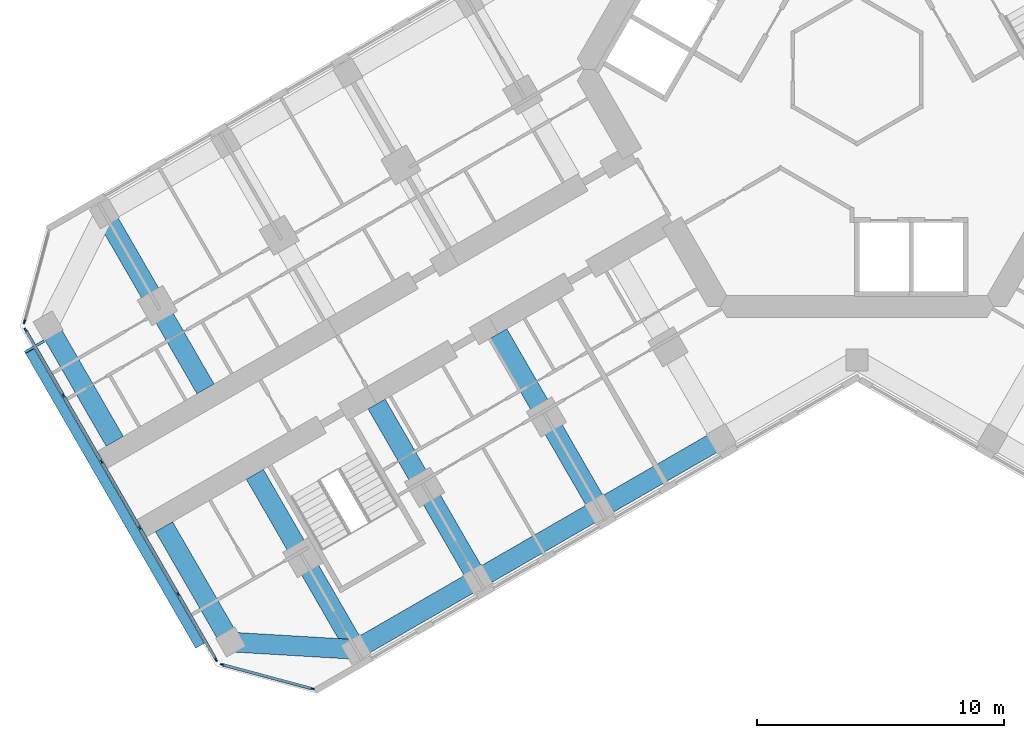
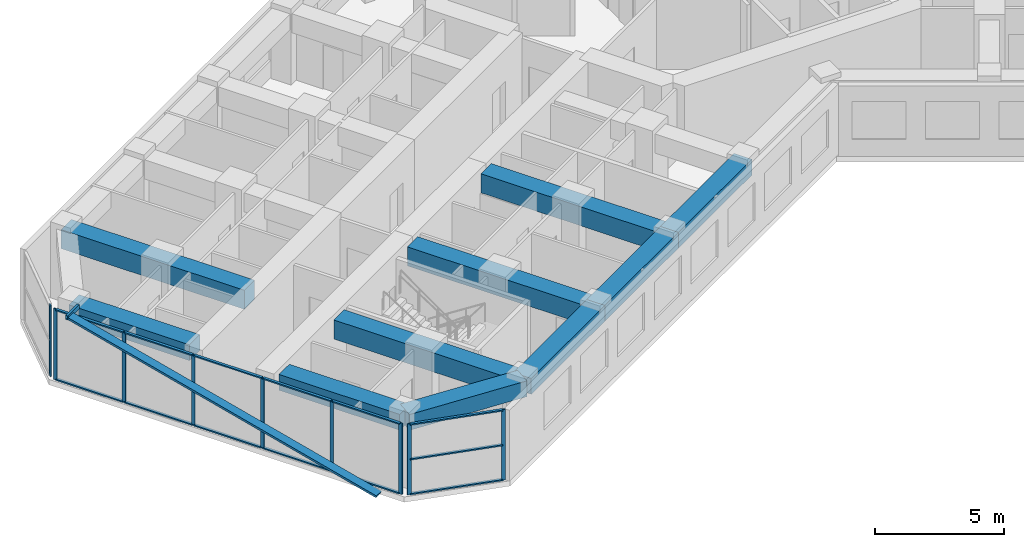
# One storey, part 2 of 19: 24 members, 10 beams, 3 elements without a shape of their own.
"""IFC4 building model written with IfcOpenShell, lengths in metres."""

from ifc_helpers import new_model, si_unit, direction, frame, origin, origin_2d, place, context, subcontext, project, spatial, rectangle, hollow_rectangle, extrude, material, material_profile, profile_set, type_object, element, aggregate, save


model = new_model("IFC4")

# Units and contexts
model_context = context("Model", 3, precision=1e-05, world=origin(), true_north=direction((0.0, 1.0)))
body_context = subcontext(model_context, "Body", "Model", "MODEL_VIEW")
ifc_project = project(units=[si_unit("LENGTHUNIT", "METRE"), si_unit("AREAUNIT", "SQUARE_METRE"), si_unit("VOLUMEUNIT", "CUBIC_METRE"), si_unit("PLANEANGLEUNIT", "RADIAN"), si_unit("MASSUNIT", "GRAM", prefix="KILO")], contexts=[model_context])

# Site, building, storey
site_placement = place(None, origin())
site = spatial("IfcSite", under=ifc_project, at=site_placement, CompositionType="ELEMENT")
building_placement = place(site_placement, origin())
building = spatial("IfcBuilding", under=site, at=building_placement, Name="Kosmar Iwan School Tower", CompositionType="ELEMENT")
storey_placement = place(building_placement, frame((0.0, 0.0, 141.800048828125)))
storey = spatial("IfcBuildingStorey", under=building, at=storey_placement, Name="L35", CompositionType="ELEMENT", Elevation=141.800048828125)

# Members
ifc_material_1 = material(Name="Black anodised aluminium", Category="aluminium")
ifc_material_profile_1 = material_profile(ifc_material_1, rectangle(XDim=0.10009765625, YDim=0.39990234375, at=origin_2d()), Name="FIN 100x400")
ifc_profile_set_1 = profile_set([ifc_material_profile_1], Name="Black anodised aluminium")
member_type_1 = type_object("IfcMemberType", Name="Diagonal fin 100x400", PredefinedType="USERDEFINED", material=ifc_profile_set_1)
member_1_placement = place(storey_placement, frame((-26.645263671875, -23.34912109375, -0.150146484375), z_axis=(-0.483793446988, 0.837970316603, 0.25248692866), x_axis=(0.126241714543, -0.218661104574, 0.96760030532)))
element("IfcMember", 1, at=member_1_placement, inside=storey, type_object=member_type_1, Name="Diagonal fin L35-F13", ObjectType="FIN", PredefinedType="USERDEFINED", context=body_context, shape_type="SweptSolid", body=[
    extrude(rectangle(XDim=0.10009765625, YDim=0.39990234375, at=origin_2d()), origin(), (0.0, 0.0, 1.0), 14.258544921875),
])
ifc_material_2 = material(Name="Steel S355", Category="steel")
ifc_material_profile_2 = material_profile(ifc_material_2, hollow_rectangle(XDim=0.10009765625, YDim=0.199951171875, WallThickness=0.008056640625, at=origin_2d()), Name="RHS 200x100x8")
ifc_profile_set_2 = profile_set([ifc_material_profile_2], Name="Steel S355")
member_type_2 = type_object("IfcMemberType", Name="Fin bracket RHS 200x100", PredefinedType="USERDEFINED", material=ifc_profile_set_2)
member_2_placement = place(storey_placement, frame((-32.963134765625, -11.006103515625, 3.474853515625), z_axis=(-0.866081705922, -0.499902469156, 0.0), x_axis=(0.499902469156, -0.866081705922, 0.0)))
element("IfcMember", 2, at=member_2_placement, inside=storey, type_object=member_type_2, Name="Fin bracket L36", ObjectType="FIN BRACKET", PredefinedType="USERDEFINED", context=body_context, shape_type="SweptSolid", body=[
    extrude(hollow_rectangle(XDim=0.10009765625, YDim=0.199951171875, WallThickness=0.008056640625, at=origin_2d()), origin(), (0.0, 0.0, 1.0), 0.900146484375),
])

# Curtain wall, member
ifc_material_3 = material(Name="Dark glass in black aluminium frame", Category="aluminium")
curtain_wall_type_1 = type_object("IfcCurtainWallType", Name="Chamfer curtain wall dark glass", PredefinedType="USERDEFINED", material=ifc_material_3)
curtain_wall_1_placement = place(storey_placement, origin())
curtain_wall_1 = element("IfcCurtainWall", 3, at=curtain_wall_1_placement, inside=storey, type_object=curtain_wall_type_1, Name="Curtain wall L35-F12", ObjectType="FACETED CURTAIN WALL", PredefinedType="USERDEFINED")
ifc_material_4 = material(Name="Black anodised aluminium", Category="aluminium")
ifc_material_profile_3 = material_profile(ifc_material_4, rectangle(XDim=0.06005859375, YDim=0.159912109375, at=origin_2d()), Name="MULLION 60x160")
ifc_profile_set_3 = profile_set([ifc_material_profile_3], Name="Black anodised aluminium")
member_type_3 = type_object("IfcMemberType", Name="Mullion 60x160", PredefinedType="MULLION", material=ifc_profile_set_3)
member_3_placement = place(storey_placement, frame((-33.7587890625, -10.2236328125, 0.0), z_axis=(0.0, 0.0, 1.0), x_axis=(0.965925875495, -0.258818861462, 0.0)))
member_3 = element("IfcMember", 4, at=member_3_placement, type_object=member_type_3, Name="CW2 mullion 2", PredefinedType="MULLION", context=body_context, shape_type="SweptSolid", body=[
    extrude(rectangle(XDim=0.06005859375, YDim=0.159912109375, at=origin_2d()), origin(), (0.0, 0.0, 1.0), 3.349853515625),
])
aggregate(curtain_wall_1, [member_3])

# Curtain wall, members
ifc_material_5 = material(Name="Dark glass in black aluminium frame", Category="aluminium")
curtain_wall_type_2 = type_object("IfcCurtainWallType", Name="Tower curtain wall dark glass", PredefinedType="USERDEFINED", material=ifc_material_5)
curtain_wall_2_placement = place(storey_placement, origin())
curtain_wall_2 = element("IfcCurtainWall", 5, at=curtain_wall_2_placement, inside=storey, type_object=curtain_wall_type_2, Name="Curtain wall L35-F13", ObjectType="UNITISED CURTAIN WALL", PredefinedType="USERDEFINED")
member_4_placement = place(storey_placement, frame((-33.71533203125, -10.55322265625, 0.0), z_axis=(0.0, 0.0, 1.0), x_axis=(0.866025405329, 0.499999997325, 0.0)))
member_4 = element("IfcMember", 6, at=member_4_placement, type_object=member_type_3, Name="CW1 mullion 1", PredefinedType="MULLION", context=body_context, shape_type="SweptSolid", body=[
    extrude(rectangle(XDim=0.06005859375, YDim=0.159912109375, at=origin_2d()), origin(), (0.0, 0.0, 1.0), 3.349853515625),
])
member_5_placement = place(storey_placement, frame((-32.1806640625, -13.21142578125, 0.0), z_axis=(0.0, 0.0, 1.0), x_axis=(0.866025405329, 0.499999997325, 0.0)))
member_5 = element("IfcMember", 7, at=member_5_placement, type_object=member_type_3, Name="CW1 mullion 2", PredefinedType="MULLION", context=body_context, shape_type="SweptSolid", body=[
    extrude(rectangle(XDim=0.06005859375, YDim=0.159912109375, at=origin_2d()), origin(), (0.0, 0.0, 1.0), 3.349853515625),
])
member_6_placement = place(storey_placement, frame((-30.631103515625, -15.8955078125, 0.0), z_axis=(0.0, 0.0, 1.0), x_axis=(0.866025405329, 0.499999997325, 0.0)))
member_6 = element("IfcMember", 8, at=member_6_placement, type_object=member_type_3, Name="CW1 mullion 3", PredefinedType="MULLION", context=body_context, shape_type="SweptSolid", body=[
    extrude(rectangle(XDim=0.06005859375, YDim=0.159912109375, at=origin_2d()), origin(), (0.0, 0.0, 1.0), 3.349853515625),
])
member_7_placement = place(storey_placement, frame((-29.081298828125, -18.57958984375, 0.0), z_axis=(0.0, 0.0, 1.0), x_axis=(0.866025405329, 0.499999997325, 0.0)))
member_7 = element("IfcMember", 9, at=member_7_placement, type_object=member_type_3, Name="CW1 mullion 4", PredefinedType="MULLION", context=body_context, shape_type="SweptSolid", body=[
    extrude(rectangle(XDim=0.06005859375, YDim=0.159912109375, at=origin_2d()), origin(), (0.0, 0.0, 1.0), 3.349853515625),
])
member_8_placement = place(storey_placement, frame((-27.53173828125, -21.263671875, 0.0), z_axis=(0.0, 0.0, 1.0), x_axis=(0.866025405329, 0.499999997325, 0.0)))
member_8 = element("IfcMember", 10, at=member_8_placement, type_object=member_type_3, Name="CW1 mullion 5", PredefinedType="MULLION", context=body_context, shape_type="SweptSolid", body=[
    extrude(rectangle(XDim=0.06005859375, YDim=0.159912109375, at=origin_2d()), origin(), (0.0, 0.0, 1.0), 3.349853515625),
])
member_9_placement = place(storey_placement, frame((-25.9970703125, -23.921630859375, 0.0), z_axis=(0.0, 0.0, 1.0), x_axis=(0.866025405329, 0.499999997325, 0.0)))
member_9 = element("IfcMember", 11, at=member_9_placement, type_object=member_type_3, Name="CW1 mullion 6", PredefinedType="MULLION", context=body_context, shape_type="SweptSolid", body=[
    extrude(rectangle(XDim=0.06005859375, YDim=0.159912109375, at=origin_2d()), origin(), (0.0, 0.0, 1.0), 3.349853515625),
])

curtain_wall_3_placement = place(storey_placement, origin())
curtain_wall_3 = element("IfcCurtainWall", 12, at=curtain_wall_3_placement, inside=storey, type_object=curtain_wall_type_1, Name="Curtain wall L35-F14", ObjectType="FACETED CURTAIN WALL", PredefinedType="USERDEFINED")
member_10_placement = place(storey_placement, frame((-25.733154296875, -24.124267578125, 0.0), z_axis=(0.0, 0.0, 1.0), x_axis=(0.258818861462, 0.965925875495, 0.0)))
member_10 = element("IfcMember", 13, at=member_10_placement, type_object=member_type_3, Name="CW2 mullion 1", PredefinedType="MULLION", context=body_context, shape_type="SweptSolid", body=[
    extrude(rectangle(XDim=0.06005859375, YDim=0.159912109375, at=origin_2d()), origin(), (0.0, 0.0, 1.0), 3.349853515625),
])
member_11_placement = place(storey_placement, frame((-22.0830078125, -25.102294921875, 0.0), z_axis=(0.0, 0.0, 1.0), x_axis=(0.258818861462, 0.965925875495, 0.0)))
member_11 = element("IfcMember", 14, at=member_11_placement, type_object=member_type_3, Name="CW2 mullion 2", PredefinedType="MULLION", context=body_context, shape_type="SweptSolid", body=[
    extrude(rectangle(XDim=0.06005859375, YDim=0.159912109375, at=origin_2d()), origin(), (0.0, 0.0, 1.0), 3.349853515625),
])

# Beams
ifc_material_6 = material(Name="Concrete C50/60", Category="concrete")
ifc_material_profile_4 = material_profile(ifc_material_6, rectangle(XDim=0.800048828125, YDim=0.75, at=origin_2d()), Name="RC 800x750")
ifc_profile_set_4 = profile_set([ifc_material_profile_4], Name="Concrete C50/60")
beam_type_1 = type_object("IfcBeamType", Name="RC edge beam 800x750", PredefinedType="BEAM", material=ifc_profile_set_4)
beam_1_placement = place(storey_placement, frame((-5.5087890625, -14.95849609375, 2.974853515625), z_axis=(-0.866033658841, -0.49998570155, 0.0), x_axis=(0.49998570155, -0.866033658841, 0.0)))
element("IfcBeam", 15, at=beam_1_placement, inside=storey, type_object=beam_type_1, Name="Edge beam BL2", PredefinedType="BEAM", context=body_context, shape_type="SweptSolid", body=[
    extrude(rectangle(XDim=0.800048828125, YDim=0.75, at=origin_2d()), origin(), (0.0, 0.0, 1.0), 5.699951171875),
])
beam_2_placement = place(storey_placement, frame((-10.445068359375, -17.808349609375, 2.974853515625), z_axis=(-0.866025820012, -0.499999279071, 0.0), x_axis=(0.499999279071, -0.866025820012, 0.0)))
element("IfcBeam", 16, at=beam_2_placement, inside=storey, type_object=beam_type_1, Name="Edge beam BL3", PredefinedType="BEAM", context=body_context, shape_type="SweptSolid", body=[
    extrude(rectangle(XDim=0.800048828125, YDim=0.75, at=origin_2d()), origin(), (0.0, 0.0, 1.0), 5.7001953125),
])
beam_3_placement = place(storey_placement, frame((-15.381591796875, -20.658447265625, 2.974853515625), z_axis=(-0.866015111908, -0.50001782563, 0.0), x_axis=(0.50001782563, -0.866015111908, 0.0)))
element("IfcBeam", 17, at=beam_3_placement, inside=storey, type_object=beam_type_1, Name="Edge beam BL4", PredefinedType="BEAM", context=body_context, shape_type="SweptSolid", body=[
    extrude(rectangle(XDim=0.800048828125, YDim=0.75, at=origin_2d()), origin(), (0.0, 0.0, 1.0), 5.699951171875),
])
ifc_material_7 = material(Name="Concrete C50/60", Category="concrete")
ifc_material_profile_5 = material_profile(ifc_material_7, rectangle(XDim=0.800048828125, YDim=0.75, at=origin_2d()), Name="RC 800x750")
ifc_profile_set_5 = profile_set([ifc_material_profile_5], Name="Concrete C50/60")
beam_type_2 = type_object("IfcBeamType", Name="RC tip beam 800x750", PredefinedType="BEAM", material=ifc_profile_set_5)
beam_4_placement = place(storey_placement, frame((-20.31787109375, -23.508544921875, 2.974853515625), z_axis=(-0.998260616478, 0.058955420358, 0.0), x_axis=(-0.058955420358, -0.998260616478, 0.0)))
element("IfcBeam", 18, at=beam_4_placement, inside=storey, type_object=beam_type_2, Name="Tip beam BL", PredefinedType="BEAM", context=body_context, shape_type="SweptSolid", body=[
    extrude(rectangle(XDim=0.800048828125, YDim=0.75, at=origin_2d()), origin(), (0.0, 0.0, 1.0), 5.08935546875),
])
for number, where, z_axis, x_axis, name in (
    (19, (-25.3984375, -23.20849609375, 2.974853515625), (-0.499995103361, 0.866028230842, 0.0), (-0.866028230842, -0.499995103361, 0.0), "Tip beam BL to corridor wall"),
    (20, (-32.79833984375, -10.391357421875, 2.974853515625), (0.499995103361, -0.866028230842, 0.0), (0.866028230842, 0.499995103361, 0.0), "Tip beam BR to corridor wall"),
):
    element("IfcBeam", number, at=place(storey_placement, frame(where, z_axis=z_axis, x_axis=x_axis)), inside=storey, type_object=beam_type_2, Name=name, PredefinedType="BEAM", context=body_context, shape_type="SweptSolid", body=[
        extrude(rectangle(XDim=0.800048828125, YDim=0.75, at=origin_2d()), origin(), (0.0, 0.0, 1.0), 5.39990234375),
    ])
ifc_material_8 = material(Name="Concrete C50/60", Category="concrete")
ifc_material_profile_6 = material_profile(ifc_material_8, rectangle(XDim=0.800048828125, YDim=0.89990234375, at=origin_2d()), Name="RC 800x900")
ifc_profile_set_6 = profile_set([ifc_material_profile_6], Name="Concrete C50/60")
beam_type_3 = type_object("IfcBeamType", Name="RC transverse beam 800x900", PredefinedType="BEAM", material=ifc_profile_set_6)
for number, where, z_axis, x_axis, name in (
    (21, (-10.445068359375, -17.808349609375, 2.89990234375), (-0.500013681986, 0.866017504342, 0.0), (-0.866017504342, -0.500013681986, 0.0), "Transverse beam BL2"),
    (22, (-15.381591796875, -20.658447265625, 2.89990234375), (-0.49999135188, 0.866030396721, 0.0), (-0.866030396721, -0.49999135188, 0.0), "Transverse beam BL3"),
    (23, (-20.31787109375, -23.508544921875, 2.89990234375), (-0.499978459874, 0.866037839625, 0.0), (-0.866037839625, -0.499978459874, 0.0), "Transverse beam BL4"),
    (24, (-30.517822265625, -5.841552734375, 2.89990234375), (0.500013681986, -0.866017504342, 0.0), (0.866017504342, 0.500013681986, 0.0), "Transverse beam BR4"),
):
    element("IfcBeam", number, at=place(storey_placement, frame(where, z_axis=z_axis, x_axis=x_axis)), inside=storey, type_object=beam_type_3, Name=name, PredefinedType="BEAM", context=body_context, shape_type="SweptSolid", body=[
        extrude(rectangle(XDim=0.800048828125, YDim=0.89990234375, at=origin_2d()), origin(), (0.0, 0.0, 1.0), 8.199951171875),
    ])

# Member
ifc_material_9 = material(Name="Black anodised aluminium", Category="aluminium")
ifc_material_profile_7 = material_profile(ifc_material_9, rectangle(XDim=0.1201171875, YDim=0.06005859375, at=origin_2d()), Name="TRANSOM 60x120")
ifc_profile_set_7 = profile_set([ifc_material_profile_7], Name="Black anodised aluminium")
member_type_4 = type_object("IfcMemberType", Name="Transom 60x120", PredefinedType="USERDEFINED", material=ifc_profile_set_7)
member_12_placement = place(storey_placement, frame((-33.700439453125, -10.579345703125, 0.030029296875), z_axis=(0.500022102064, -0.866012642776, 0.0), x_axis=(0.866012642776, 0.500022102064, 0.0)))
member_12 = element("IfcMember", 25, at=member_12_placement, type_object=member_type_4, Name="CW1 transom 1.1", ObjectType="TRANSOM", PredefinedType="USERDEFINED", context=body_context, shape_type="SweptSolid", body=[
    extrude(rectangle(XDim=0.1201171875, YDim=0.06005859375, at=origin_2d()), origin(), (0.0, 0.0, 1.0), 3.009033203125),
])

member_13_placement = place(storey_placement, frame((-33.700439453125, -10.579345703125, 3.320068359375), z_axis=(0.500022102064, -0.866012642776, 0.0), x_axis=(0.866012642776, 0.500022102064, 0.0)))
member_13 = element("IfcMember", 26, at=member_13_placement, type_object=member_type_4, Name="CW1 transom 1.2", ObjectType="TRANSOM", PredefinedType="USERDEFINED", context=body_context, shape_type="SweptSolid", body=[
    extrude(rectangle(XDim=0.1201171875, YDim=0.06005859375, at=origin_2d()), origin(), (0.0, 0.0, 1.0), 3.009033203125),
])

member_14_placement = place(storey_placement, frame((-32.165771484375, -13.2373046875, 0.030029296875), z_axis=(0.500035348339, -0.866004994449, 0.0), x_axis=(0.866004994449, 0.500035348339, 0.0)))
member_14 = element("IfcMember", 27, at=member_14_placement, type_object=member_type_4, Name="CW1 transom 2.1", ObjectType="TRANSOM", PredefinedType="USERDEFINED", context=body_context, shape_type="SweptSolid", body=[
    extrude(rectangle(XDim=0.1201171875, YDim=0.06005859375, at=origin_2d()), origin(), (0.0, 0.0, 1.0), 3.039306640625),
])

member_15_placement = place(storey_placement, frame((-32.165771484375, -13.2373046875, 3.320068359375), z_axis=(0.500035348339, -0.866004994449, 0.0), x_axis=(0.866004994449, 0.500035348339, 0.0)))
member_15 = element("IfcMember", 28, at=member_15_placement, type_object=member_type_4, Name="CW1 transom 2.2", ObjectType="TRANSOM", PredefinedType="USERDEFINED", context=body_context, shape_type="SweptSolid", body=[
    extrude(rectangle(XDim=0.1201171875, YDim=0.06005859375, at=origin_2d()), origin(), (0.0, 0.0, 1.0), 3.039306640625),
])

member_16_placement = place(storey_placement, frame((-30.615966796875, -15.92138671875, 0.030029296875), z_axis=(0.499975102327, -0.866039777986, 0.0), x_axis=(0.866039777986, 0.499975102327, 0.0)))
member_16 = element("IfcMember", 29, at=member_16_placement, type_object=member_type_4, Name="CW1 transom 3.1", ObjectType="TRANSOM", PredefinedType="USERDEFINED", context=body_context, shape_type="SweptSolid", body=[
    extrude(rectangle(XDim=0.1201171875, YDim=0.06005859375, at=origin_2d()), origin(), (0.0, 0.0, 1.0), 3.039306640625),
])

member_17_placement = place(storey_placement, frame((-30.615966796875, -15.92138671875, 3.320068359375), z_axis=(0.499975102327, -0.866039777986, 0.0), x_axis=(0.866039777986, 0.499975102327, 0.0)))
member_17 = element("IfcMember", 30, at=member_17_placement, type_object=member_type_4, Name="CW1 transom 3.2", ObjectType="TRANSOM", PredefinedType="USERDEFINED", context=body_context, shape_type="SweptSolid", body=[
    extrude(rectangle(XDim=0.1201171875, YDim=0.06005859375, at=origin_2d()), origin(), (0.0, 0.0, 1.0), 3.039306640625),
])

member_18_placement = place(storey_placement, frame((-29.06640625, -18.60546875, 0.030029296875), z_axis=(0.499975102327, -0.866039777986, 0.0), x_axis=(0.866039777986, 0.499975102327, 0.0)))
member_18 = element("IfcMember", 31, at=member_18_placement, type_object=member_type_4, Name="CW1 transom 4.1", ObjectType="TRANSOM", PredefinedType="USERDEFINED", context=body_context, shape_type="SweptSolid", body=[
    extrude(rectangle(XDim=0.1201171875, YDim=0.06005859375, at=origin_2d()), origin(), (0.0, 0.0, 1.0), 3.039306640625),
])

member_19_placement = place(storey_placement, frame((-29.06640625, -18.60546875, 3.320068359375), z_axis=(0.499975102327, -0.866039777986, 0.0), x_axis=(0.866039777986, 0.499975102327, 0.0)))
member_19 = element("IfcMember", 32, at=member_19_placement, type_object=member_type_4, Name="CW1 transom 4.2", ObjectType="TRANSOM", PredefinedType="USERDEFINED", context=body_context, shape_type="SweptSolid", body=[
    extrude(rectangle(XDim=0.1201171875, YDim=0.06005859375, at=origin_2d()), origin(), (0.0, 0.0, 1.0), 3.039306640625),
])

member_20_placement = place(storey_placement, frame((-27.516845703125, -21.28955078125, 0.030029296875), z_axis=(0.499986971506, -0.866032925658, 0.0), x_axis=(0.866032925658, 0.499986971506, 0.0)))
member_20 = element("IfcMember", 33, at=member_20_placement, type_object=member_type_4, Name="CW1 transom 5.1", ObjectType="TRANSOM", PredefinedType="USERDEFINED", context=body_context, shape_type="SweptSolid", body=[
    extrude(rectangle(XDim=0.1201171875, YDim=0.06005859375, at=origin_2d()), origin(), (0.0, 0.0, 1.0), 3.00927734375),
])

member_21_placement = place(storey_placement, frame((-27.516845703125, -21.28955078125, 3.320068359375), z_axis=(0.499986971506, -0.866032925658, 0.0), x_axis=(0.866032925658, 0.499986971506, 0.0)))
member_21 = element("IfcMember", 34, at=member_21_placement, type_object=member_type_4, Name="CW1 transom 5.2", ObjectType="TRANSOM", PredefinedType="USERDEFINED", context=body_context, shape_type="SweptSolid", body=[
    extrude(rectangle(XDim=0.1201171875, YDim=0.06005859375, at=origin_2d()), origin(), (0.0, 0.0, 1.0), 3.00927734375),
])

aggregate(curtain_wall_2, [member_4, member_5, member_6, member_7, member_8, member_9, member_12, member_13, member_14, member_15, member_16, member_17, member_18, member_19, member_20, member_21])

member_22_placement = place(storey_placement, frame((-25.704345703125, -24.1318359375, 0.030029296875), z_axis=(0.965923731726, -0.258826861991, 0.0), x_axis=(0.258826861991, 0.965923731726, 0.0)))
member_22 = element("IfcMember", 35, at=member_22_placement, type_object=member_type_4, Name="CW2 transom 1.1", ObjectType="TRANSOM", PredefinedType="USERDEFINED", context=body_context, shape_type="SweptSolid", body=[
    extrude(rectangle(XDim=0.1201171875, YDim=0.06005859375, at=origin_2d()), origin(), (0.0, 0.0, 1.0), 3.71923828125),
])

member_23_placement = place(storey_placement, frame((-25.704345703125, -24.1318359375, 1.675048828125), z_axis=(0.965923731726, -0.258826861991, 0.0), x_axis=(0.258826861991, 0.965923731726, 0.0)))
member_23 = element("IfcMember", 36, at=member_23_placement, type_object=member_type_4, Name="CW2 transom 1.2", ObjectType="TRANSOM", PredefinedType="USERDEFINED", context=body_context, shape_type="SweptSolid", body=[
    extrude(rectangle(XDim=0.1201171875, YDim=0.06005859375, at=origin_2d()), origin(), (0.0, 0.0, 1.0), 3.71923828125),
])

member_24_placement = place(storey_placement, frame((-25.704345703125, -24.1318359375, 3.320068359375), z_axis=(0.965923731726, -0.258826861991, 0.0), x_axis=(0.258826861991, 0.965923731726, 0.0)))
member_24 = element("IfcMember", 37, at=member_24_placement, type_object=member_type_4, Name="CW2 transom 1.3", ObjectType="TRANSOM", PredefinedType="USERDEFINED", context=body_context, shape_type="SweptSolid", body=[
    extrude(rectangle(XDim=0.1201171875, YDim=0.06005859375, at=origin_2d()), origin(), (0.0, 0.0, 1.0), 3.71923828125),
])

aggregate(curtain_wall_3, [member_10, member_11, member_22, member_23, member_24])

save(model, "model.ifc")
